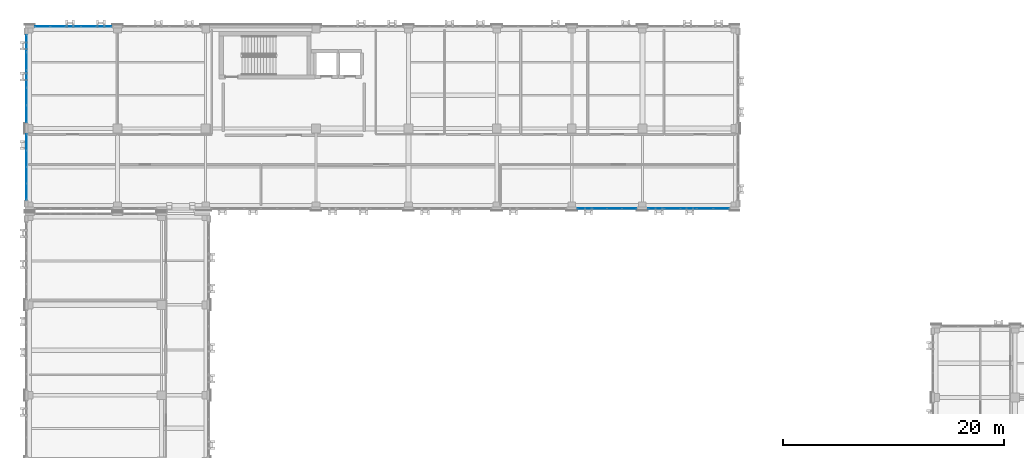
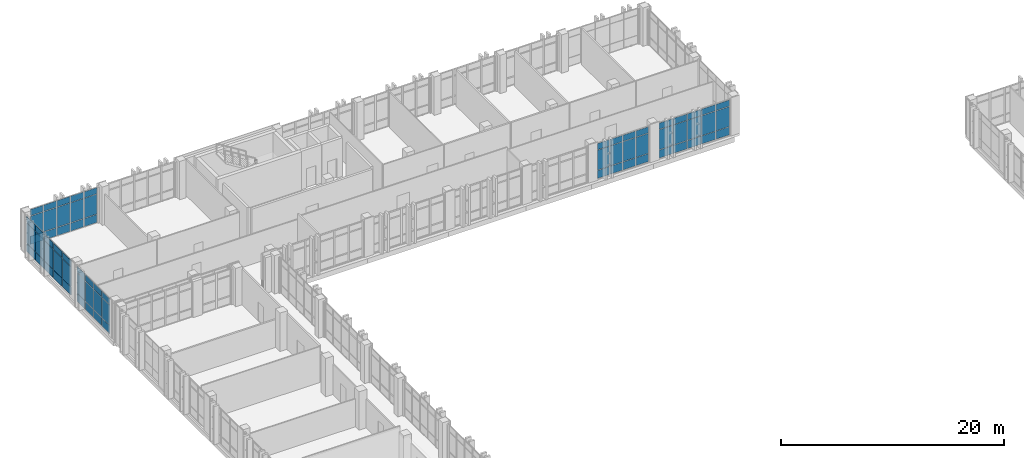
# One storey, part 126 of 165: 69 plates, 5 elements without a shape of their own.
"""IFC4 building model written with IfcOpenShell, lengths in metres."""

from ifc_helpers import new_model, si_unit, direction, frame, origin, origin_2d, place, context, subcontext, project, spatial, rectangle, extrude, material, layer, layer_set, type_object, element, aggregate, save


model = new_model("IFC4")

# Units and contexts
model_context = context("Model", 3, precision=1e-05, world=origin(), true_north=direction((0.0, 1.0)))
body_context = subcontext(model_context, "Body", "Model", "MODEL_VIEW")
ifc_project = project(units=[si_unit("LENGTHUNIT", "METRE"), si_unit("AREAUNIT", "SQUARE_METRE"), si_unit("VOLUMEUNIT", "CUBIC_METRE"), si_unit("PLANEANGLEUNIT", "RADIAN"), si_unit("MASSUNIT", "GRAM", prefix="KILO")], contexts=[model_context])

# Site, building, storey
site_placement = place(None, origin())
site = spatial("IfcSite", under=ifc_project, at=site_placement, CompositionType="ELEMENT")
building_placement = place(site_placement, origin())
building = spatial("IfcBuilding", under=site, at=building_placement, Name="Qalavern Law Courts", CompositionType="ELEMENT")
storey_placement = place(building_placement, frame((0.0, 0.0, 14.39990234375)))
storey = spatial("IfcBuildingStorey", under=building, at=storey_placement, Name="L03", CompositionType="ELEMENT", Elevation=14.39990234375)

# Curtain wall, plates
ifc_material_1 = material(Name="Anodised aluminium and insulated glazing", Category="aluminium")
ifc_layer_1 = layer(ifc_material_1, 0.166015625)
ifc_layer_set_1 = layer_set([ifc_layer_1], Name="Anodised aluminium and insulated glazing")
curtain_wall_type = type_object("IfcCurtainWallType", Name="ENV-CW-LIB", PredefinedType="USERDEFINED", material=ifc_layer_set_1)
curtain_wall_1_placement = place(storey_placement, origin())
curtain_wall_1 = element("IfcCurtainWall", 1, at=curtain_wall_1_placement, inside=storey, type_object=curtain_wall_type, Name="V5 unitised curtain wall L03 west 2", ObjectType="UNITISED CURTAIN WALL", PredefinedType="USERDEFINED")
ifc_material_2 = material(Name="Insulated low-E acoustic glazing", Category="glass")
ifc_layer_2 = layer(ifc_material_2, 0.02392578125)
ifc_layer_set_2 = layer_set([ifc_layer_2], Name="Insulated low-E acoustic glazing")
plate_type_1 = type_object("IfcPlateType", Name="ENV-CWP-24", PredefinedType="CURTAIN_PANEL", material=ifc_layer_set_2)
plate_1_placement = place(storey_placement, frame((2.1474609375, 102.337890625, 0.048095703125), z_axis=(0.0, 0.0, 1.0), x_axis=(0.0, -1.0, 0.0)))
plate_1 = element("IfcPlate", 2, at=plate_1_placement, type_object=plate_type_1, Name="CW-05 panel 1.1", PredefinedType="CURTAIN_PANEL", context=body_context, shape_type="SweptSolid", body=[
    extrude(rectangle(XDim=1.427978515625, YDim=0.02392578125, at=origin_2d()), origin(), (0.0, 0.0, 1.0), 0.8779296875),
])
plate_2_placement = place(storey_placement, frame((2.1474609375, 102.337890625, 0.97412109375), z_axis=(0.0, 0.0, 1.0), x_axis=(0.0, -1.0, 0.0)))
plate_2 = element("IfcPlate", 3, at=plate_2_placement, type_object=plate_type_1, Name="CW-05 panel 1.2", PredefinedType="CURTAIN_PANEL", context=body_context, shape_type="SweptSolid", body=[
    extrude(rectangle(XDim=1.427978515625, YDim=0.02392578125, at=origin_2d()), origin(), (0.0, 0.0, 1.0), 2.172119140625),
])
plate_3_placement = place(storey_placement, frame((2.1474609375, 102.337890625, 3.1943359375), z_axis=(0.0, 0.0, 1.0), x_axis=(0.0, -1.0, 0.0)))
plate_3 = element("IfcPlate", 4, at=plate_3_placement, type_object=plate_type_1, Name="CW-05 panel 1.3", PredefinedType="CURTAIN_PANEL", context=body_context, shape_type="SweptSolid", body=[
    extrude(rectangle(XDim=1.427978515625, YDim=0.02392578125, at=origin_2d()), origin(), (0.0, 0.0, 1.0), 0.677978515625),
])
plate_4_placement = place(storey_placement, frame((2.1474609375, 100.85009765625, 0.048095703125), z_axis=(0.0, 0.0, 1.0), x_axis=(0.0, -1.0, 0.0)))
plate_4 = element("IfcPlate", 5, at=plate_4_placement, type_object=plate_type_1, Name="CW-05 panel 2.1", PredefinedType="CURTAIN_PANEL", context=body_context, shape_type="SweptSolid", body=[
    extrude(rectangle(XDim=1.451904296875, YDim=0.02392578125, at=origin_2d()), origin(), (0.0, 0.0, 1.0), 0.8779296875),
])
plate_5_placement = place(storey_placement, frame((2.1474609375, 100.85009765625, 0.97412109375), z_axis=(0.0, 0.0, 1.0), x_axis=(0.0, -1.0, 0.0)))
plate_5 = element("IfcPlate", 6, at=plate_5_placement, type_object=plate_type_1, Name="CW-05 panel 2.2", PredefinedType="CURTAIN_PANEL", context=body_context, shape_type="SweptSolid", body=[
    extrude(rectangle(XDim=1.451904296875, YDim=0.02392578125, at=origin_2d()), origin(), (0.0, 0.0, 1.0), 2.172119140625),
])
plate_6_placement = place(storey_placement, frame((2.1474609375, 100.85009765625, 3.1943359375), z_axis=(0.0, 0.0, 1.0), x_axis=(0.0, -1.0, 0.0)))
plate_6 = element("IfcPlate", 7, at=plate_6_placement, type_object=plate_type_1, Name="CW-05 panel 2.3", PredefinedType="CURTAIN_PANEL", context=body_context, shape_type="SweptSolid", body=[
    extrude(rectangle(XDim=1.451904296875, YDim=0.02392578125, at=origin_2d()), origin(), (0.0, 0.0, 1.0), 0.677978515625),
])
plate_7_placement = place(storey_placement, frame((2.1474609375, 99.35009765625, 0.048095703125), z_axis=(0.0, 0.0, 1.0), x_axis=(0.0, -1.0, 0.0)))
plate_7 = element("IfcPlate", 8, at=plate_7_placement, type_object=plate_type_1, Name="CW-05 panel 3.1", PredefinedType="CURTAIN_PANEL", context=body_context, shape_type="SweptSolid", body=[
    extrude(rectangle(XDim=1.451904296875, YDim=0.02392578125, at=origin_2d()), origin(), (0.0, 0.0, 1.0), 0.8779296875),
])
plate_8_placement = place(storey_placement, frame((2.1474609375, 99.35009765625, 0.97412109375), z_axis=(0.0, 0.0, 1.0), x_axis=(0.0, -1.0, 0.0)))
plate_8 = element("IfcPlate", 9, at=plate_8_placement, type_object=plate_type_1, Name="CW-05 panel 3.2", PredefinedType="CURTAIN_PANEL", context=body_context, shape_type="SweptSolid", body=[
    extrude(rectangle(XDim=1.451904296875, YDim=0.02392578125, at=origin_2d()), origin(), (0.0, 0.0, 1.0), 2.172119140625),
])
plate_9_placement = place(storey_placement, frame((2.1474609375, 99.35009765625, 3.1943359375), z_axis=(0.0, 0.0, 1.0), x_axis=(0.0, -1.0, 0.0)))
plate_9 = element("IfcPlate", 10, at=plate_9_placement, type_object=plate_type_1, Name="CW-05 panel 3.3", PredefinedType="CURTAIN_PANEL", context=body_context, shape_type="SweptSolid", body=[
    extrude(rectangle(XDim=1.451904296875, YDim=0.02392578125, at=origin_2d()), origin(), (0.0, 0.0, 1.0), 0.677978515625),
])
plate_10_placement = place(storey_placement, frame((2.1474609375, 97.862060546875, 0.048095703125), z_axis=(0.0, 0.0, 1.0), x_axis=(0.0, -1.0, 0.0)))
plate_10 = element("IfcPlate", 11, at=plate_10_placement, type_object=plate_type_1, Name="CW-05 panel 4.1", PredefinedType="CURTAIN_PANEL", context=body_context, shape_type="SweptSolid", body=[
    extrude(rectangle(XDim=1.427978515625, YDim=0.02392578125, at=origin_2d()), origin(), (0.0, 0.0, 1.0), 0.8779296875),
])
plate_11_placement = place(storey_placement, frame((2.1474609375, 97.862060546875, 0.97412109375), z_axis=(0.0, 0.0, 1.0), x_axis=(0.0, -1.0, 0.0)))
plate_11 = element("IfcPlate", 12, at=plate_11_placement, type_object=plate_type_1, Name="CW-05 panel 4.2", PredefinedType="CURTAIN_PANEL", context=body_context, shape_type="SweptSolid", body=[
    extrude(rectangle(XDim=1.427978515625, YDim=0.02392578125, at=origin_2d()), origin(), (0.0, 0.0, 1.0), 2.172119140625),
])
plate_12_placement = place(storey_placement, frame((2.1474609375, 97.862060546875, 3.1943359375), z_axis=(0.0, 0.0, 1.0), x_axis=(0.0, -1.0, 0.0)))
plate_12 = element("IfcPlate", 13, at=plate_12_placement, type_object=plate_type_1, Name="CW-05 panel 4.3", PredefinedType="CURTAIN_PANEL", context=body_context, shape_type="SweptSolid", body=[
    extrude(rectangle(XDim=1.427978515625, YDim=0.02392578125, at=origin_2d()), origin(), (0.0, 0.0, 1.0), 0.677978515625),
])
aggregate(curtain_wall_1, [plate_1, plate_2, plate_3, plate_4, plate_5, plate_6, plate_7, plate_8, plate_9, plate_10, plate_11, plate_12])

curtain_wall_2_placement = place(storey_placement, origin())
curtain_wall_2 = element("IfcCurtainWall", 14, at=curtain_wall_2_placement, inside=storey, type_object=curtain_wall_type, Name="V5 unitised curtain wall L03 south 5", ObjectType="UNITISED CURTAIN WALL", PredefinedType="USERDEFINED")
ifc_layer_3 = layer(ifc_material_2, 0.0400390625)
ifc_layer_set_3 = layer_set([ifc_layer_3], Name="Insulated low-E acoustic glazing")
plate_type_2 = type_object("IfcPlateType", Name="ENV-CWP-40", PredefinedType="CURTAIN_PANEL", material=ifc_layer_set_3)
plate_13_placement = place(storey_placement, frame((52.787109375, 96.347412109375, 0.048095703125), z_axis=(0.0, 0.0, 1.0), x_axis=(1.0, 0.0, 0.0)))
plate_13 = element("IfcPlate", 15, at=plate_13_placement, type_object=plate_type_2, Name="CW-05 panel 1.1", PredefinedType="CURTAIN_PANEL", context=body_context, shape_type="SweptSolid", body=[
    extrude(rectangle(XDim=1.278076171875, YDim=0.0400390625, at=origin_2d()), origin(), (0.0, 0.0, 1.0), 0.8779296875),
])
plate_14_placement = place(storey_placement, frame((52.787109375, 96.347412109375, 0.97412109375), z_axis=(0.0, 0.0, 1.0), x_axis=(1.0, 0.0, 0.0)))
plate_14 = element("IfcPlate", 16, at=plate_14_placement, type_object=plate_type_2, Name="CW-05 panel 1.2", PredefinedType="CURTAIN_PANEL", context=body_context, shape_type="SweptSolid", body=[
    extrude(rectangle(XDim=1.278076171875, YDim=0.0400390625, at=origin_2d()), origin(), (0.0, 0.0, 1.0), 2.172119140625),
])
plate_15_placement = place(storey_placement, frame((52.787109375, 96.347412109375, 3.1943359375), z_axis=(0.0, 0.0, 1.0), x_axis=(1.0, 0.0, 0.0)))
plate_15 = element("IfcPlate", 17, at=plate_15_placement, type_object=plate_type_2, Name="CW-05 panel 1.3", PredefinedType="CURTAIN_PANEL", context=body_context, shape_type="SweptSolid", body=[
    extrude(rectangle(XDim=1.278076171875, YDim=0.0400390625, at=origin_2d()), origin(), (0.0, 0.0, 1.0), 0.677978515625),
])
plate_16_placement = place(storey_placement, frame((54.125, 96.347412109375, 0.048095703125), z_axis=(0.0, 0.0, 1.0), x_axis=(1.0, 0.0, 0.0)))
plate_16 = element("IfcPlate", 18, at=plate_16_placement, type_object=plate_type_2, Name="CW-05 panel 2.1", PredefinedType="CURTAIN_PANEL", context=body_context, shape_type="SweptSolid", body=[
    extrude(rectangle(XDim=1.302001953125, YDim=0.0400390625, at=origin_2d()), origin(), (0.0, 0.0, 1.0), 0.8779296875),
])
plate_17_placement = place(storey_placement, frame((54.125, 96.347412109375, 0.97412109375), z_axis=(0.0, 0.0, 1.0), x_axis=(1.0, 0.0, 0.0)))
plate_17 = element("IfcPlate", 19, at=plate_17_placement, type_object=plate_type_2, Name="CW-05 panel 2.2", PredefinedType="CURTAIN_PANEL", context=body_context, shape_type="SweptSolid", body=[
    extrude(rectangle(XDim=1.302001953125, YDim=0.0400390625, at=origin_2d()), origin(), (0.0, 0.0, 1.0), 2.172119140625),
])
plate_18_placement = place(storey_placement, frame((54.125, 96.347412109375, 3.1943359375), z_axis=(0.0, 0.0, 1.0), x_axis=(1.0, 0.0, 0.0)))
plate_18 = element("IfcPlate", 20, at=plate_18_placement, type_object=plate_type_2, Name="CW-05 panel 2.3", PredefinedType="CURTAIN_PANEL", context=body_context, shape_type="SweptSolid", body=[
    extrude(rectangle(XDim=1.302001953125, YDim=0.0400390625, at=origin_2d()), origin(), (0.0, 0.0, 1.0), 0.677978515625),
])
plate_19_placement = place(storey_placement, frame((55.47509765625, 96.347412109375, 0.048095703125), z_axis=(0.0, 0.0, 1.0), x_axis=(1.0, 0.0, 0.0)))
plate_19 = element("IfcPlate", 21, at=plate_19_placement, type_object=plate_type_2, Name="CW-05 panel 3.1", PredefinedType="CURTAIN_PANEL", context=body_context, shape_type="SweptSolid", body=[
    extrude(rectangle(XDim=1.302001953125, YDim=0.0400390625, at=origin_2d()), origin(), (0.0, 0.0, 1.0), 0.8779296875),
])
plate_20_placement = place(storey_placement, frame((55.47509765625, 96.347412109375, 0.97412109375), z_axis=(0.0, 0.0, 1.0), x_axis=(1.0, 0.0, 0.0)))
plate_20 = element("IfcPlate", 22, at=plate_20_placement, type_object=plate_type_2, Name="CW-05 panel 3.2", PredefinedType="CURTAIN_PANEL", context=body_context, shape_type="SweptSolid", body=[
    extrude(rectangle(XDim=1.302001953125, YDim=0.0400390625, at=origin_2d()), origin(), (0.0, 0.0, 1.0), 2.172119140625),
])
plate_21_placement = place(storey_placement, frame((55.47509765625, 96.347412109375, 3.1943359375), z_axis=(0.0, 0.0, 1.0), x_axis=(1.0, 0.0, 0.0)))
plate_21 = element("IfcPlate", 23, at=plate_21_placement, type_object=plate_type_2, Name="CW-05 panel 3.3", PredefinedType="CURTAIN_PANEL", context=body_context, shape_type="SweptSolid", body=[
    extrude(rectangle(XDim=1.302001953125, YDim=0.0400390625, at=origin_2d()), origin(), (0.0, 0.0, 1.0), 0.677978515625),
])
plate_22_placement = place(storey_placement, frame((56.81298828125, 96.347412109375, 0.048095703125), z_axis=(0.0, 0.0, 1.0), x_axis=(1.0, 0.0, 0.0)))
plate_22 = element("IfcPlate", 24, at=plate_22_placement, type_object=plate_type_2, Name="CW-05 panel 4.1", PredefinedType="CURTAIN_PANEL", context=body_context, shape_type="SweptSolid", body=[
    extrude(rectangle(XDim=1.278076171875, YDim=0.0400390625, at=origin_2d()), origin(), (0.0, 0.0, 1.0), 0.8779296875),
])
plate_23_placement = place(storey_placement, frame((56.81298828125, 96.347412109375, 0.97412109375), z_axis=(0.0, 0.0, 1.0), x_axis=(1.0, 0.0, 0.0)))
plate_23 = element("IfcPlate", 25, at=plate_23_placement, type_object=plate_type_2, Name="CW-05 panel 4.2", PredefinedType="CURTAIN_PANEL", context=body_context, shape_type="SweptSolid", body=[
    extrude(rectangle(XDim=1.278076171875, YDim=0.0400390625, at=origin_2d()), origin(), (0.0, 0.0, 1.0), 2.172119140625),
])
plate_24_placement = place(storey_placement, frame((56.81298828125, 96.347412109375, 3.1943359375), z_axis=(0.0, 0.0, 1.0), x_axis=(1.0, 0.0, 0.0)))
plate_24 = element("IfcPlate", 26, at=plate_24_placement, type_object=plate_type_2, Name="CW-05 panel 4.3", PredefinedType="CURTAIN_PANEL", context=body_context, shape_type="SweptSolid", body=[
    extrude(rectangle(XDim=1.278076171875, YDim=0.0400390625, at=origin_2d()), origin(), (0.0, 0.0, 1.0), 0.677978515625),
])
aggregate(curtain_wall_2, [plate_13, plate_14, plate_15, plate_16, plate_17, plate_18, plate_19, plate_20, plate_21, plate_22, plate_23, plate_24])

curtain_wall_3_placement = place(storey_placement, origin())
curtain_wall_3 = element("IfcCurtainWall", 27, at=curtain_wall_3_placement, inside=storey, type_object=curtain_wall_type, Name="V5 unitised curtain wall L03 south 6", ObjectType="UNITISED CURTAIN WALL", PredefinedType="USERDEFINED")
ifc_layer_4 = layer(ifc_material_2, 0.0439453125)
ifc_layer_set_4 = layer_set([ifc_layer_4], Name="Insulated low-E acoustic glazing")
plate_type_3 = type_object("IfcPlateType", Name="ENV-CWP-44", PredefinedType="CURTAIN_PANEL", material=ifc_layer_set_4)
plate_25_placement = place(storey_placement, frame((59.251953125, 96.347412109375, 0.048095703125), z_axis=(0.0, 0.0, 1.0), x_axis=(1.0, 0.0, 0.0)))
plate_25 = element("IfcPlate", 28, at=plate_25_placement, type_object=plate_type_3, Name="CW-05 panel 1.1", PredefinedType="CURTAIN_PANEL", context=body_context, shape_type="SweptSolid", body=[
    extrude(rectangle(XDim=1.407958984375, YDim=0.0439453125, at=origin_2d()), origin(), (0.0, 0.0, 1.0), 0.8779296875),
])
plate_26_placement = place(storey_placement, frame((59.251953125, 96.347412109375, 0.97412109375), z_axis=(0.0, 0.0, 1.0), x_axis=(1.0, 0.0, 0.0)))
plate_26 = element("IfcPlate", 29, at=plate_26_placement, type_object=plate_type_3, Name="CW-05 panel 1.2", PredefinedType="CURTAIN_PANEL", context=body_context, shape_type="SweptSolid", body=[
    extrude(rectangle(XDim=1.407958984375, YDim=0.0439453125, at=origin_2d()), origin(), (0.0, 0.0, 1.0), 2.172119140625),
])
plate_27_placement = place(storey_placement, frame((59.251953125, 96.347412109375, 3.1943359375), z_axis=(0.0, 0.0, 1.0), x_axis=(1.0, 0.0, 0.0)))
plate_27 = element("IfcPlate", 30, at=plate_27_placement, type_object=plate_type_3, Name="CW-05 panel 1.3", PredefinedType="CURTAIN_PANEL", context=body_context, shape_type="SweptSolid", body=[
    extrude(rectangle(XDim=1.407958984375, YDim=0.0439453125, at=origin_2d()), origin(), (0.0, 0.0, 1.0), 0.677978515625),
])
plate_28_placement = place(storey_placement, frame((60.719970703125, 96.347412109375, 0.048095703125), z_axis=(0.0, 0.0, 1.0), x_axis=(1.0, 0.0, 0.0)))
plate_28 = element("IfcPlate", 31, at=plate_28_placement, type_object=plate_type_3, Name="CW-05 panel 2.1", PredefinedType="CURTAIN_PANEL", context=body_context, shape_type="SweptSolid", body=[
    extrude(rectangle(XDim=1.431884765625, YDim=0.0439453125, at=origin_2d()), origin(), (0.0, 0.0, 1.0), 0.8779296875),
])
plate_29_placement = place(storey_placement, frame((60.719970703125, 96.347412109375, 0.97412109375), z_axis=(0.0, 0.0, 1.0), x_axis=(1.0, 0.0, 0.0)))
plate_29 = element("IfcPlate", 32, at=plate_29_placement, type_object=plate_type_3, Name="CW-05 panel 2.2", PredefinedType="CURTAIN_PANEL", context=body_context, shape_type="SweptSolid", body=[
    extrude(rectangle(XDim=1.431884765625, YDim=0.0439453125, at=origin_2d()), origin(), (0.0, 0.0, 1.0), 2.172119140625),
])
plate_30_placement = place(storey_placement, frame((60.719970703125, 96.347412109375, 3.1943359375), z_axis=(0.0, 0.0, 1.0), x_axis=(1.0, 0.0, 0.0)))
plate_30 = element("IfcPlate", 33, at=plate_30_placement, type_object=plate_type_3, Name="CW-05 panel 2.3", PredefinedType="CURTAIN_PANEL", context=body_context, shape_type="SweptSolid", body=[
    extrude(rectangle(XDim=1.431884765625, YDim=0.0439453125, at=origin_2d()), origin(), (0.0, 0.0, 1.0), 0.677978515625),
])
plate_31_placement = place(storey_placement, frame((62.199951171875, 96.347412109375, 0.048095703125), z_axis=(0.0, 0.0, 1.0), x_axis=(1.0, 0.0, 0.0)))
plate_31 = element("IfcPlate", 34, at=plate_31_placement, type_object=plate_type_3, Name="CW-05 panel 3.1", PredefinedType="CURTAIN_PANEL", context=body_context, shape_type="SweptSolid", body=[
    extrude(rectangle(XDim=1.431884765625, YDim=0.0439453125, at=origin_2d()), origin(), (0.0, 0.0, 1.0), 0.8779296875),
])
plate_32_placement = place(storey_placement, frame((62.199951171875, 96.347412109375, 0.97412109375), z_axis=(0.0, 0.0, 1.0), x_axis=(1.0, 0.0, 0.0)))
plate_32 = element("IfcPlate", 35, at=plate_32_placement, type_object=plate_type_3, Name="CW-05 panel 3.2", PredefinedType="CURTAIN_PANEL", context=body_context, shape_type="SweptSolid", body=[
    extrude(rectangle(XDim=1.431884765625, YDim=0.0439453125, at=origin_2d()), origin(), (0.0, 0.0, 1.0), 2.172119140625),
])
plate_33_placement = place(storey_placement, frame((62.199951171875, 96.347412109375, 3.1943359375), z_axis=(0.0, 0.0, 1.0), x_axis=(1.0, 0.0, 0.0)))
plate_33 = element("IfcPlate", 36, at=plate_33_placement, type_object=plate_type_3, Name="CW-05 panel 3.3", PredefinedType="CURTAIN_PANEL", context=body_context, shape_type="SweptSolid", body=[
    extrude(rectangle(XDim=1.431884765625, YDim=0.0439453125, at=origin_2d()), origin(), (0.0, 0.0, 1.0), 0.677978515625),
])
plate_34_placement = place(storey_placement, frame((63.679931640625, 96.347412109375, 0.048095703125), z_axis=(0.0, 0.0, 1.0), x_axis=(1.0, 0.0, 0.0)))
plate_34 = element("IfcPlate", 37, at=plate_34_placement, type_object=plate_type_3, Name="CW-05 panel 4.1", PredefinedType="CURTAIN_PANEL", context=body_context, shape_type="SweptSolid", body=[
    extrude(rectangle(XDim=1.431884765625, YDim=0.0439453125, at=origin_2d()), origin(), (0.0, 0.0, 1.0), 0.8779296875),
])
plate_35_placement = place(storey_placement, frame((63.679931640625, 96.347412109375, 0.97412109375), z_axis=(0.0, 0.0, 1.0), x_axis=(1.0, 0.0, 0.0)))
plate_35 = element("IfcPlate", 38, at=plate_35_placement, type_object=plate_type_3, Name="CW-05 panel 4.2", PredefinedType="CURTAIN_PANEL", context=body_context, shape_type="SweptSolid", body=[
    extrude(rectangle(XDim=1.431884765625, YDim=0.0439453125, at=origin_2d()), origin(), (0.0, 0.0, 1.0), 2.172119140625),
])
plate_36_placement = place(storey_placement, frame((63.679931640625, 96.347412109375, 3.1943359375), z_axis=(0.0, 0.0, 1.0), x_axis=(1.0, 0.0, 0.0)))
plate_36 = element("IfcPlate", 39, at=plate_36_placement, type_object=plate_type_3, Name="CW-05 panel 4.3", PredefinedType="CURTAIN_PANEL", context=body_context, shape_type="SweptSolid", body=[
    extrude(rectangle(XDim=1.431884765625, YDim=0.0439453125, at=origin_2d()), origin(), (0.0, 0.0, 1.0), 0.677978515625),
])
plate_37_placement = place(storey_placement, frame((65.14794921875, 96.347412109375, 0.048095703125), z_axis=(0.0, 0.0, 1.0), x_axis=(1.0, 0.0, 0.0)))
plate_37 = element("IfcPlate", 40, at=plate_37_placement, type_object=plate_type_3, Name="CW-05 panel 5.1", PredefinedType="CURTAIN_PANEL", context=body_context, shape_type="SweptSolid", body=[
    extrude(rectangle(XDim=1.407958984375, YDim=0.0439453125, at=origin_2d()), origin(), (0.0, 0.0, 1.0), 0.8779296875),
])
plate_38_placement = place(storey_placement, frame((65.14794921875, 96.347412109375, 0.97412109375), z_axis=(0.0, 0.0, 1.0), x_axis=(1.0, 0.0, 0.0)))
plate_38 = element("IfcPlate", 41, at=plate_38_placement, type_object=plate_type_3, Name="CW-05 panel 5.2", PredefinedType="CURTAIN_PANEL", context=body_context, shape_type="SweptSolid", body=[
    extrude(rectangle(XDim=1.407958984375, YDim=0.0439453125, at=origin_2d()), origin(), (0.0, 0.0, 1.0), 2.172119140625),
])
plate_39_placement = place(storey_placement, frame((65.14794921875, 96.347412109375, 3.1943359375), z_axis=(0.0, 0.0, 1.0), x_axis=(1.0, 0.0, 0.0)))
plate_39 = element("IfcPlate", 42, at=plate_39_placement, type_object=plate_type_3, Name="CW-05 panel 5.3", PredefinedType="CURTAIN_PANEL", context=body_context, shape_type="SweptSolid", body=[
    extrude(rectangle(XDim=1.407958984375, YDim=0.0439453125, at=origin_2d()), origin(), (0.0, 0.0, 1.0), 0.677978515625),
])
aggregate(curtain_wall_3, [plate_25, plate_26, plate_27, plate_28, plate_29, plate_30, plate_31, plate_32, plate_33, plate_34, plate_35, plate_36, plate_37, plate_38, plate_39])

curtain_wall_4_placement = place(storey_placement, origin())
curtain_wall_4 = element("IfcCurtainWall", 43, at=curtain_wall_4_placement, inside=storey, type_object=curtain_wall_type, Name="V5 unitised curtain wall L03 north 7", ObjectType="UNITISED CURTAIN WALL", PredefinedType="USERDEFINED")
plate_40_placement = place(storey_placement, frame((9.18798828125, 112.8525390625, 0.048095703125), z_axis=(0.0, 0.0, 1.0), x_axis=(-1.0, 0.0, 0.0)))
plate_40 = element("IfcPlate", 44, at=plate_40_placement, type_object=plate_type_3, Name="CW-05 panel 1.1", PredefinedType="CURTAIN_PANEL", context=body_context, shape_type="SweptSolid", body=[
    extrude(rectangle(XDim=1.327880859375, YDim=0.0439453125, at=origin_2d()), origin(), (0.0, 0.0, 1.0), 0.8779296875),
])
plate_41_placement = place(storey_placement, frame((9.18798828125, 112.8525390625, 0.97412109375), z_axis=(0.0, 0.0, 1.0), x_axis=(-1.0, 0.0, 0.0)))
plate_41 = element("IfcPlate", 45, at=plate_41_placement, type_object=plate_type_3, Name="CW-05 panel 1.2", PredefinedType="CURTAIN_PANEL", context=body_context, shape_type="SweptSolid", body=[
    extrude(rectangle(XDim=1.327880859375, YDim=0.0439453125, at=origin_2d()), origin(), (0.0, 0.0, 1.0), 2.172119140625),
])
plate_42_placement = place(storey_placement, frame((9.18798828125, 112.8525390625, 3.1943359375), z_axis=(0.0, 0.0, 1.0), x_axis=(-1.0, 0.0, 0.0)))
plate_42 = element("IfcPlate", 46, at=plate_42_placement, type_object=plate_type_3, Name="CW-05 panel 1.3", PredefinedType="CURTAIN_PANEL", context=body_context, shape_type="SweptSolid", body=[
    extrude(rectangle(XDim=1.327880859375, YDim=0.0439453125, at=origin_2d()), origin(), (0.0, 0.0, 1.0), 0.677978515625),
])
plate_43_placement = place(storey_placement, frame((7.800048828125, 112.8525390625, 0.048095703125), z_axis=(0.0, 0.0, 1.0), x_axis=(-1.0, 0.0, 0.0)))
plate_43 = element("IfcPlate", 47, at=plate_43_placement, type_object=plate_type_3, Name="CW-05 panel 2.1", PredefinedType="CURTAIN_PANEL", context=body_context, shape_type="SweptSolid", body=[
    extrude(rectangle(XDim=1.35205078125, YDim=0.0439453125, at=origin_2d()), origin(), (0.0, 0.0, 1.0), 0.8779296875),
])
plate_44_placement = place(storey_placement, frame((7.800048828125, 112.8525390625, 0.97412109375), z_axis=(0.0, 0.0, 1.0), x_axis=(-1.0, 0.0, 0.0)))
plate_44 = element("IfcPlate", 48, at=plate_44_placement, type_object=plate_type_3, Name="CW-05 panel 2.2", PredefinedType="CURTAIN_PANEL", context=body_context, shape_type="SweptSolid", body=[
    extrude(rectangle(XDim=1.35205078125, YDim=0.0439453125, at=origin_2d()), origin(), (0.0, 0.0, 1.0), 2.172119140625),
])
plate_45_placement = place(storey_placement, frame((7.800048828125, 112.8525390625, 3.1943359375), z_axis=(0.0, 0.0, 1.0), x_axis=(-1.0, 0.0, 0.0)))
plate_45 = element("IfcPlate", 49, at=plate_45_placement, type_object=plate_type_3, Name="CW-05 panel 2.3", PredefinedType="CURTAIN_PANEL", context=body_context, shape_type="SweptSolid", body=[
    extrude(rectangle(XDim=1.35205078125, YDim=0.0439453125, at=origin_2d()), origin(), (0.0, 0.0, 1.0), 0.677978515625),
])
plate_46_placement = place(storey_placement, frame((6.39990234375, 112.8525390625, 0.048095703125), z_axis=(0.0, 0.0, 1.0), x_axis=(-1.0, 0.0, 0.0)))
plate_46 = element("IfcPlate", 50, at=plate_46_placement, type_object=plate_type_3, Name="CW-05 panel 3.1", PredefinedType="CURTAIN_PANEL", context=body_context, shape_type="SweptSolid", body=[
    extrude(rectangle(XDim=1.35205078125, YDim=0.0439453125, at=origin_2d()), origin(), (0.0, 0.0, 1.0), 0.8779296875),
])
plate_47_placement = place(storey_placement, frame((6.39990234375, 112.8525390625, 0.97412109375), z_axis=(0.0, 0.0, 1.0), x_axis=(-1.0, 0.0, 0.0)))
plate_47 = element("IfcPlate", 51, at=plate_47_placement, type_object=plate_type_3, Name="CW-05 panel 3.2", PredefinedType="CURTAIN_PANEL", context=body_context, shape_type="SweptSolid", body=[
    extrude(rectangle(XDim=1.35205078125, YDim=0.0439453125, at=origin_2d()), origin(), (0.0, 0.0, 1.0), 2.172119140625),
])
plate_48_placement = place(storey_placement, frame((6.39990234375, 112.8525390625, 3.1943359375), z_axis=(0.0, 0.0, 1.0), x_axis=(-1.0, 0.0, 0.0)))
plate_48 = element("IfcPlate", 52, at=plate_48_placement, type_object=plate_type_3, Name="CW-05 panel 3.3", PredefinedType="CURTAIN_PANEL", context=body_context, shape_type="SweptSolid", body=[
    extrude(rectangle(XDim=1.35205078125, YDim=0.0439453125, at=origin_2d()), origin(), (0.0, 0.0, 1.0), 0.677978515625),
])
plate_49_placement = place(storey_placement, frame((5.0, 112.8525390625, 0.048095703125), z_axis=(0.0, 0.0, 1.0), x_axis=(-1.0, 0.0, 0.0)))
plate_49 = element("IfcPlate", 53, at=plate_49_placement, type_object=plate_type_3, Name="CW-05 panel 4.1", PredefinedType="CURTAIN_PANEL", context=body_context, shape_type="SweptSolid", body=[
    extrude(rectangle(XDim=1.35205078125, YDim=0.0439453125, at=origin_2d()), origin(), (0.0, 0.0, 1.0), 0.8779296875),
])
plate_50_placement = place(storey_placement, frame((5.0, 112.8525390625, 0.97412109375), z_axis=(0.0, 0.0, 1.0), x_axis=(-1.0, 0.0, 0.0)))
plate_50 = element("IfcPlate", 54, at=plate_50_placement, type_object=plate_type_3, Name="CW-05 panel 4.2", PredefinedType="CURTAIN_PANEL", context=body_context, shape_type="SweptSolid", body=[
    extrude(rectangle(XDim=1.35205078125, YDim=0.0439453125, at=origin_2d()), origin(), (0.0, 0.0, 1.0), 2.172119140625),
])
plate_51_placement = place(storey_placement, frame((5.0, 112.8525390625, 3.1943359375), z_axis=(0.0, 0.0, 1.0), x_axis=(-1.0, 0.0, 0.0)))
plate_51 = element("IfcPlate", 55, at=plate_51_placement, type_object=plate_type_3, Name="CW-05 panel 4.3", PredefinedType="CURTAIN_PANEL", context=body_context, shape_type="SweptSolid", body=[
    extrude(rectangle(XDim=1.35205078125, YDim=0.0439453125, at=origin_2d()), origin(), (0.0, 0.0, 1.0), 0.677978515625),
])
plate_52_placement = place(storey_placement, frame((3.612060546875, 112.8525390625, 0.048095703125), z_axis=(0.0, 0.0, 1.0), x_axis=(-1.0, 0.0, 0.0)))
plate_52 = element("IfcPlate", 56, at=plate_52_placement, type_object=plate_type_3, Name="CW-05 panel 5.1", PredefinedType="CURTAIN_PANEL", context=body_context, shape_type="SweptSolid", body=[
    extrude(rectangle(XDim=1.327880859375, YDim=0.0439453125, at=origin_2d()), origin(), (0.0, 0.0, 1.0), 0.8779296875),
])
plate_53_placement = place(storey_placement, frame((3.612060546875, 112.8525390625, 0.97412109375), z_axis=(0.0, 0.0, 1.0), x_axis=(-1.0, 0.0, 0.0)))
plate_53 = element("IfcPlate", 57, at=plate_53_placement, type_object=plate_type_3, Name="CW-05 panel 5.2", PredefinedType="CURTAIN_PANEL", context=body_context, shape_type="SweptSolid", body=[
    extrude(rectangle(XDim=1.327880859375, YDim=0.0439453125, at=origin_2d()), origin(), (0.0, 0.0, 1.0), 2.172119140625),
])
plate_54_placement = place(storey_placement, frame((3.612060546875, 112.8525390625, 3.1943359375), z_axis=(0.0, 0.0, 1.0), x_axis=(-1.0, 0.0, 0.0)))
plate_54 = element("IfcPlate", 58, at=plate_54_placement, type_object=plate_type_3, Name="CW-05 panel 5.3", PredefinedType="CURTAIN_PANEL", context=body_context, shape_type="SweptSolid", body=[
    extrude(rectangle(XDim=1.327880859375, YDim=0.0439453125, at=origin_2d()), origin(), (0.0, 0.0, 1.0), 0.677978515625),
])
aggregate(curtain_wall_4, [plate_40, plate_41, plate_42, plate_43, plate_44, plate_45, plate_46, plate_47, plate_48, plate_49, plate_50, plate_51, plate_52, plate_53, plate_54])

curtain_wall_5_placement = place(storey_placement, origin())
curtain_wall_5 = element("IfcCurtainWall", 59, at=curtain_wall_5_placement, inside=storey, type_object=curtain_wall_type, Name="V5 unitised curtain wall L03 west 1", ObjectType="UNITISED CURTAIN WALL", PredefinedType="USERDEFINED")
ifc_layer_5 = layer(ifc_material_2, 0.052001953125)
ifc_layer_set_5 = layer_set([ifc_layer_5], Name="Insulated low-E acoustic glazing")
plate_type_4 = type_object("IfcPlateType", Name="ENV-CWP-52", PredefinedType="CURTAIN_PANEL", material=ifc_layer_set_5)
plate_55_placement = place(storey_placement, frame((2.1474609375, 111.2880859375, 0.048095703125), z_axis=(0.0, 0.0, 1.0), x_axis=(0.0, -1.0, 0.0)))
plate_55 = element("IfcPlate", 60, at=plate_55_placement, type_object=plate_type_4, Name="CW-05 panel 1.1", PredefinedType="CURTAIN_PANEL", context=body_context, shape_type="SweptSolid", body=[
    extrude(rectangle(XDim=1.528076171875, YDim=0.052001953125, at=origin_2d()), origin(), (0.0, 0.0, 1.0), 0.8779296875),
])
plate_56_placement = place(storey_placement, frame((2.1474609375, 111.2880859375, 0.97412109375), z_axis=(0.0, 0.0, 1.0), x_axis=(0.0, -1.0, 0.0)))
plate_56 = element("IfcPlate", 61, at=plate_56_placement, type_object=plate_type_4, Name="CW-05 panel 1.2", PredefinedType="CURTAIN_PANEL", context=body_context, shape_type="SweptSolid", body=[
    extrude(rectangle(XDim=1.528076171875, YDim=0.052001953125, at=origin_2d()), origin(), (0.0, 0.0, 1.0), 2.172119140625),
])
plate_57_placement = place(storey_placement, frame((2.1474609375, 111.2880859375, 3.1943359375), z_axis=(0.0, 0.0, 1.0), x_axis=(0.0, -1.0, 0.0)))
plate_57 = element("IfcPlate", 62, at=plate_57_placement, type_object=plate_type_4, Name="CW-05 panel 1.3", PredefinedType="CURTAIN_PANEL", context=body_context, shape_type="SweptSolid", body=[
    extrude(rectangle(XDim=1.528076171875, YDim=0.052001953125, at=origin_2d()), origin(), (0.0, 0.0, 1.0), 0.677978515625),
])
plate_58_placement = place(storey_placement, frame((2.1474609375, 109.699951171875, 0.048095703125), z_axis=(0.0, 0.0, 1.0), x_axis=(0.0, -1.0, 0.0)))
plate_58 = element("IfcPlate", 63, at=plate_58_placement, type_object=plate_type_4, Name="CW-05 panel 2.1", PredefinedType="CURTAIN_PANEL", context=body_context, shape_type="SweptSolid", body=[
    extrude(rectangle(XDim=1.552001953125, YDim=0.052001953125, at=origin_2d()), origin(), (0.0, 0.0, 1.0), 0.8779296875),
])
plate_59_placement = place(storey_placement, frame((2.1474609375, 109.699951171875, 0.97412109375), z_axis=(0.0, 0.0, 1.0), x_axis=(0.0, -1.0, 0.0)))
plate_59 = element("IfcPlate", 64, at=plate_59_placement, type_object=plate_type_4, Name="CW-05 panel 2.2", PredefinedType="CURTAIN_PANEL", context=body_context, shape_type="SweptSolid", body=[
    extrude(rectangle(XDim=1.552001953125, YDim=0.052001953125, at=origin_2d()), origin(), (0.0, 0.0, 1.0), 2.172119140625),
])
plate_60_placement = place(storey_placement, frame((2.1474609375, 109.699951171875, 3.1943359375), z_axis=(0.0, 0.0, 1.0), x_axis=(0.0, -1.0, 0.0)))
plate_60 = element("IfcPlate", 65, at=plate_60_placement, type_object=plate_type_4, Name="CW-05 panel 2.3", PredefinedType="CURTAIN_PANEL", context=body_context, shape_type="SweptSolid", body=[
    extrude(rectangle(XDim=1.552001953125, YDim=0.052001953125, at=origin_2d()), origin(), (0.0, 0.0, 1.0), 0.677978515625),
])
plate_61_placement = place(storey_placement, frame((2.1474609375, 108.10009765625, 0.048095703125), z_axis=(0.0, 0.0, 1.0), x_axis=(0.0, -1.0, 0.0)))
plate_61 = element("IfcPlate", 66, at=plate_61_placement, type_object=plate_type_4, Name="CW-05 panel 3.1", PredefinedType="CURTAIN_PANEL", context=body_context, shape_type="SweptSolid", body=[
    extrude(rectangle(XDim=1.552001953125, YDim=0.052001953125, at=origin_2d()), origin(), (0.0, 0.0, 1.0), 0.8779296875),
])
plate_62_placement = place(storey_placement, frame((2.1474609375, 108.10009765625, 0.97412109375), z_axis=(0.0, 0.0, 1.0), x_axis=(0.0, -1.0, 0.0)))
plate_62 = element("IfcPlate", 67, at=plate_62_placement, type_object=plate_type_4, Name="CW-05 panel 3.2", PredefinedType="CURTAIN_PANEL", context=body_context, shape_type="SweptSolid", body=[
    extrude(rectangle(XDim=1.552001953125, YDim=0.052001953125, at=origin_2d()), origin(), (0.0, 0.0, 1.0), 2.172119140625),
])
plate_63_placement = place(storey_placement, frame((2.1474609375, 108.10009765625, 3.1943359375), z_axis=(0.0, 0.0, 1.0), x_axis=(0.0, -1.0, 0.0)))
plate_63 = element("IfcPlate", 68, at=plate_63_placement, type_object=plate_type_4, Name="CW-05 panel 3.3", PredefinedType="CURTAIN_PANEL", context=body_context, shape_type="SweptSolid", body=[
    extrude(rectangle(XDim=1.552001953125, YDim=0.052001953125, at=origin_2d()), origin(), (0.0, 0.0, 1.0), 0.677978515625),
])
plate_64_placement = place(storey_placement, frame((2.1474609375, 106.5, 0.048095703125), z_axis=(0.0, 0.0, 1.0), x_axis=(0.0, -1.0, 0.0)))
plate_64 = element("IfcPlate", 69, at=plate_64_placement, type_object=plate_type_4, Name="CW-05 panel 4.1", PredefinedType="CURTAIN_PANEL", context=body_context, shape_type="SweptSolid", body=[
    extrude(rectangle(XDim=1.552001953125, YDim=0.052001953125, at=origin_2d()), origin(), (0.0, 0.0, 1.0), 0.8779296875),
])
plate_65_placement = place(storey_placement, frame((2.1474609375, 106.5, 0.97412109375), z_axis=(0.0, 0.0, 1.0), x_axis=(0.0, -1.0, 0.0)))
plate_65 = element("IfcPlate", 70, at=plate_65_placement, type_object=plate_type_4, Name="CW-05 panel 4.2", PredefinedType="CURTAIN_PANEL", context=body_context, shape_type="SweptSolid", body=[
    extrude(rectangle(XDim=1.552001953125, YDim=0.052001953125, at=origin_2d()), origin(), (0.0, 0.0, 1.0), 2.172119140625),
])
plate_66_placement = place(storey_placement, frame((2.1474609375, 106.5, 3.1943359375), z_axis=(0.0, 0.0, 1.0), x_axis=(0.0, -1.0, 0.0)))
plate_66 = element("IfcPlate", 71, at=plate_66_placement, type_object=plate_type_4, Name="CW-05 panel 4.3", PredefinedType="CURTAIN_PANEL", context=body_context, shape_type="SweptSolid", body=[
    extrude(rectangle(XDim=1.552001953125, YDim=0.052001953125, at=origin_2d()), origin(), (0.0, 0.0, 1.0), 0.677978515625),
])
plate_67_placement = place(storey_placement, frame((2.1474609375, 104.912109375, 0.048095703125), z_axis=(0.0, 0.0, 1.0), x_axis=(0.0, -1.0, 0.0)))
plate_67 = element("IfcPlate", 72, at=plate_67_placement, type_object=plate_type_4, Name="CW-05 panel 5.1", PredefinedType="CURTAIN_PANEL", context=body_context, shape_type="SweptSolid", body=[
    extrude(rectangle(XDim=1.528076171875, YDim=0.052001953125, at=origin_2d()), origin(), (0.0, 0.0, 1.0), 0.8779296875),
])
plate_68_placement = place(storey_placement, frame((2.1474609375, 104.912109375, 0.97412109375), z_axis=(0.0, 0.0, 1.0), x_axis=(0.0, -1.0, 0.0)))
plate_68 = element("IfcPlate", 73, at=plate_68_placement, type_object=plate_type_4, Name="CW-05 panel 5.2", PredefinedType="CURTAIN_PANEL", context=body_context, shape_type="SweptSolid", body=[
    extrude(rectangle(XDim=1.528076171875, YDim=0.052001953125, at=origin_2d()), origin(), (0.0, 0.0, 1.0), 2.172119140625),
])
plate_69_placement = place(storey_placement, frame((2.1474609375, 104.912109375, 3.1943359375), z_axis=(0.0, 0.0, 1.0), x_axis=(0.0, -1.0, 0.0)))
plate_69 = element("IfcPlate", 74, at=plate_69_placement, type_object=plate_type_4, Name="CW-05 panel 5.3", PredefinedType="CURTAIN_PANEL", context=body_context, shape_type="SweptSolid", body=[
    extrude(rectangle(XDim=1.528076171875, YDim=0.052001953125, at=origin_2d()), origin(), (0.0, 0.0, 1.0), 0.677978515625),
])
aggregate(curtain_wall_5, [plate_55, plate_56, plate_57, plate_58, plate_59, plate_60, plate_61, plate_62, plate_63, plate_64, plate_65, plate_66, plate_67, plate_68, plate_69])

save(model, "model.ifc")
